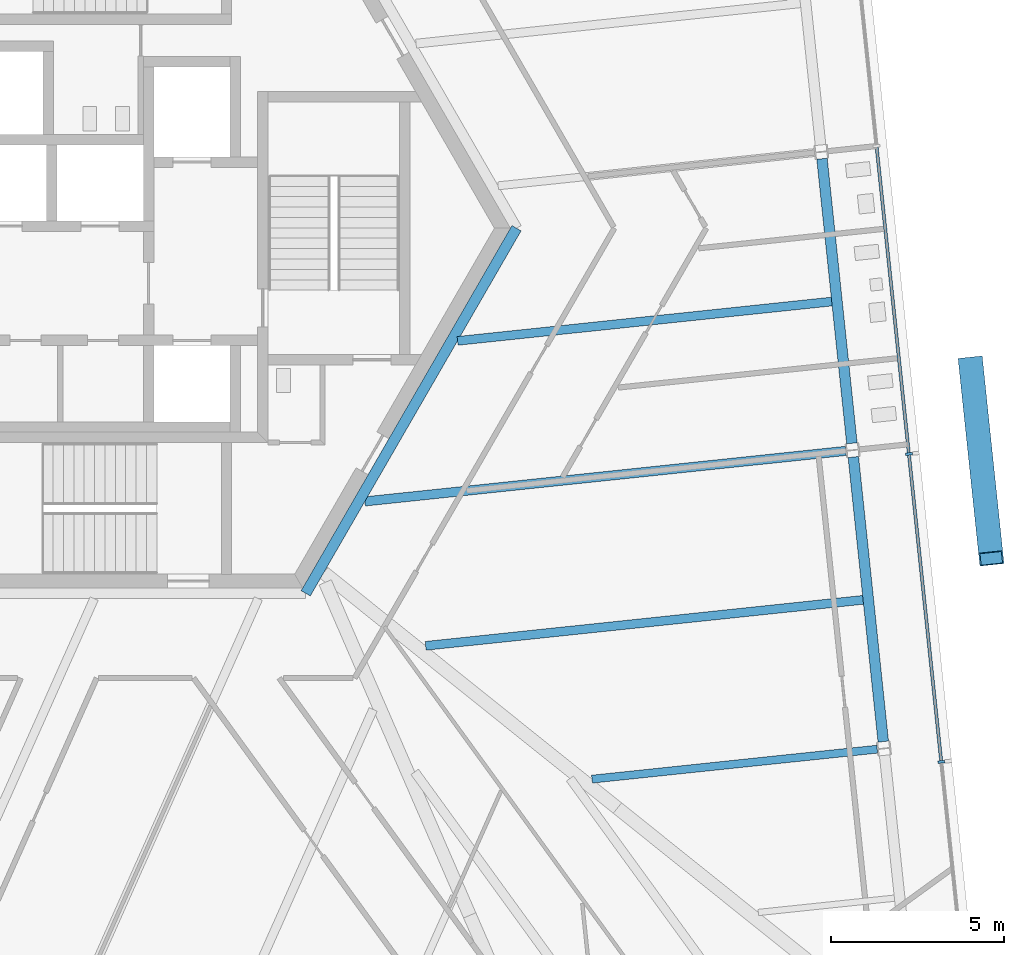
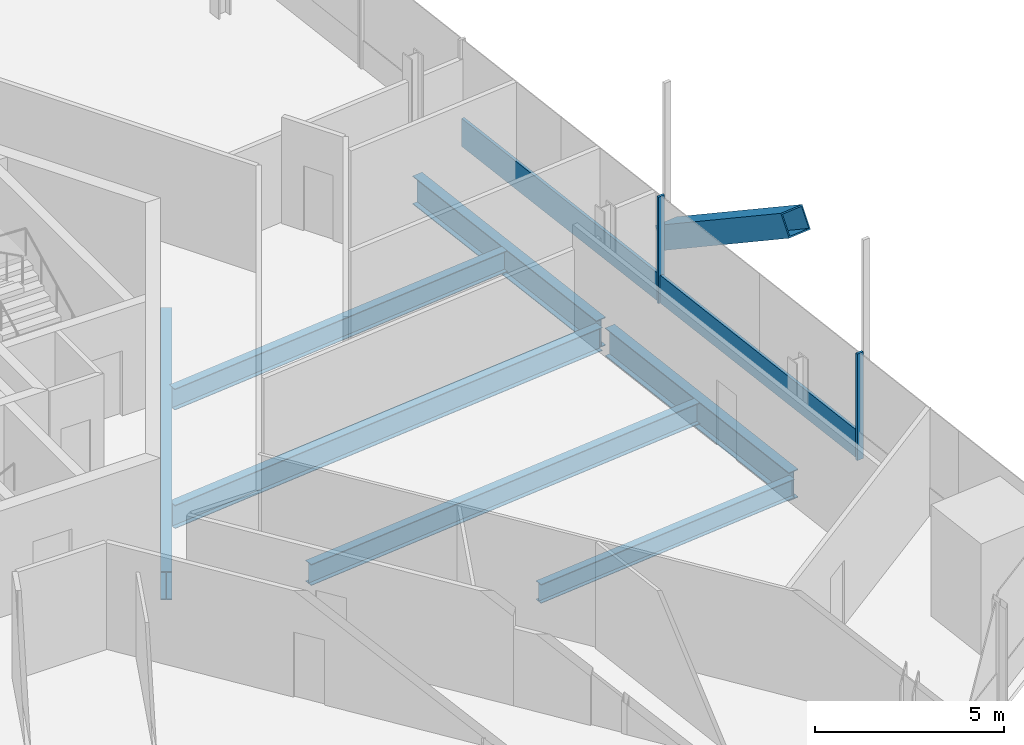
# One storey, part 5 of 21: 7 beams, 5 members, 1 element without a shape of its own.
"""IFC4 building model written with IfcOpenShell, lengths in metres."""

from ifc_helpers import new_model, si_unit, direction, frame, origin, origin_2d, place, context, subcontext, project, spatial, rectangle, hollow_rectangle, i_section, extrude, source, transform, mapped, material, material_profile, profile_set, type_object, element, aggregate, save


model = new_model("IFC4")

# Units and contexts
model_context = context("Model", 3, precision=1e-05, world=origin(), true_north=direction((0.0, 1.0)))
body_context = subcontext(model_context, "Body", "Model", "MODEL_VIEW")
ifc_project = project(units=[si_unit("LENGTHUNIT", "METRE"), si_unit("AREAUNIT", "SQUARE_METRE"), si_unit("VOLUMEUNIT", "CUBIC_METRE"), si_unit("PLANEANGLEUNIT", "RADIAN"), si_unit("MASSUNIT", "GRAM", prefix="KILO")], contexts=[model_context])

# Site, building, storey
site_placement = place(None, origin())
site = spatial("IfcSite", under=ifc_project, at=site_placement, CompositionType="ELEMENT")
building_placement = place(site_placement, origin())
building = spatial("IfcBuilding", under=site, at=building_placement, Name="Triune Harvest Tower", CompositionType="ELEMENT")
storey_placement = place(building_placement, frame((0.0, 0.0, 80.10009765625)))
storey = spatial("IfcBuildingStorey", under=building, at=storey_placement, Name="L19", CompositionType="ELEMENT", Elevation=80.10009765625)

# Beams
ifc_material_1 = material(Name="Steel ASTM A992 Gr 50", Category="steel")
ifc_material_profile_1 = material_profile(ifc_material_1, i_section(OverallWidth=0.3046875, OverallDepth=0.914306640625, WebThickness=0.0166015625, FlangeThickness=0.02587890625, at=origin_2d()), Name="W36x160")
ifc_profile_set_1 = profile_set([ifc_material_profile_1], Name="Steel ASTM A992 Gr 50")
beam_type_1 = type_object("IfcBeamType", Name="CG-1 Core ring girder W36x160", PredefinedType="BEAM", material=ifc_profile_set_1)
shared_shape_1 = source(origin(), body_context, "Body", "SweptSolid", [
    extrude(i_section(OverallWidth=0.3046875, OverallDepth=0.914306640625, WebThickness=0.0166015625, FlangeThickness=0.02587890625, at=origin_2d()), origin(), (0.0, 0.0, 1.0), 12.176025390625),
])
beam_1_placement = place(storey_placement, frame((6.087890625, -10.544677734375, -0.6171875), z_axis=(0.5000099932, 0.866019634131, 0.0), x_axis=(-0.866019634131, 0.5000099932, 0.0)))
element("IfcBeam", 1, at=beam_1_placement, inside=storey, type_object=beam_type_1, Name="beam/L19/CG6", PredefinedType="BEAM", context=body_context, shape_type="MappedRepresentation", body=[
    mapped(shared_shape_1, transform((0.0, 0.0, 0.0), scale=1.0)),
])
ifc_material_2 = material(Name="Steel ASTM A992 Gr 50", Category="steel")
ifc_material_profile_2 = material_profile(ifc_material_2, i_section(OverallWidth=0.3046875, OverallDepth=0.914306640625, WebThickness=0.0166015625, FlangeThickness=0.02587890625, at=origin_2d()), Name="W36x160")
ifc_profile_set_2 = profile_set([ifc_material_profile_2], Name="Steel ASTM A992 Gr 50")
beam_type_2 = type_object("IfcBeamType", Name="SB-1 Spandrel beam W36x160", PredefinedType="SPANDREL", material=ifc_profile_set_2)
shared_shape_2 = source(origin(), body_context, "Body", "SweptSolid", [
    extrude(i_section(OverallWidth=0.3046875, OverallDepth=0.914306640625, WebThickness=0.0166015625, FlangeThickness=0.02587890625, at=origin_2d()), origin(), (0.0, 0.0, 1.0), 8.26318359375),
])
beam_2_placement = place(storey_placement, frame((22.76708984375, -14.826416015625, -0.6171875), z_axis=(-0.104530986234, 0.994521630191, 0.0), x_axis=(-0.994521630191, -0.104530986234, 0.0)))
element("IfcBeam", 2, at=beam_2_placement, inside=storey, type_object=beam_type_2, Name="beam/L19/SB2", PredefinedType="SPANDREL", context=body_context, shape_type="MappedRepresentation", body=[
    mapped(shared_shape_2, transform((0.0, 0.0, 0.0), scale=1.0)),
])
shared_shape_3 = source(origin(), body_context, "Body", "SweptSolid", [
    extrude(i_section(OverallWidth=0.3046875, OverallDepth=0.914306640625, WebThickness=0.0166015625, FlangeThickness=0.02587890625, at=origin_2d()), origin(), (0.0, 0.0, 1.0), 8.263427734375),
])
beam_3_placement = place(storey_placement, frame((21.861572265625, -6.211669921875, -0.6171875), z_axis=(-0.104527914852, 0.994521953009, 0.0), x_axis=(-0.994521953009, -0.104527914852, 0.0)))
element("IfcBeam", 3, at=beam_3_placement, inside=storey, type_object=beam_type_2, Name="beam/L19/SB3", PredefinedType="SPANDREL", context=body_context, shape_type="MappedRepresentation", body=[
    mapped(shared_shape_3, transform((0.0, 0.0, 0.0), scale=1.0)),
])
ifc_material_3 = material(Name="Steel ASTM A992 Gr 50", Category="steel")
ifc_material_profile_3 = material_profile(ifc_material_3, i_section(OverallWidth=0.22900390625, OverallDepth=0.612060546875, WebThickness=0.011962890625, FlangeThickness=0.01953125, at=origin_2d()), Name="W24x84")
ifc_profile_set_3 = profile_set([ifc_material_profile_3], Name="Steel ASTM A992 Gr 50")
beam_type_3 = type_object("IfcBeamType", Name="JT-3 Floor joist W24x84", PredefinedType="JOIST", material=ifc_profile_set_3)
shared_shape_4 = source(origin(), body_context, "Body", "SweptSolid", [
    extrude(i_section(OverallWidth=0.22900390625, OverallDepth=0.612060546875, WebThickness=0.011962890625, FlangeThickness=0.01953125, at=origin_2d()), origin(), (0.0, 0.0, 1.0), 8.28173828125),
])
beam_4_placement = place(storey_placement, frame((22.592041015625, -15.04541015625, -0.46630859375), z_axis=(-0.994521271652, -0.104534397358, 0.0), x_axis=(0.104534397358, -0.994521271652, 0.0)))
element("IfcBeam", 4, at=beam_4_placement, inside=storey, type_object=beam_type_3, Name="beam/L19/JT2", PredefinedType="JOIST", context=body_context, shape_type="MappedRepresentation", body=[
    mapped(shared_shape_4, transform((0.0, 0.0, 0.0), scale=1.0)),
])
ifc_material_4 = material(Name="Steel ASTM A992 Gr 50", Category="steel")
ifc_material_profile_4 = material_profile(ifc_material_4, i_section(OverallWidth=0.253662109375, OverallDepth=0.683349609375, WebThickness=0.012451171875, FlangeThickness=0.01904296875, at=origin_2d()), Name="W27x94")
ifc_profile_set_4 = profile_set([ifc_material_profile_4], Name="Steel ASTM A992 Gr 50")
beam_type_4 = type_object("IfcBeamType", Name="JT-4 Floor joist W27x94", PredefinedType="JOIST", material=ifc_profile_set_4)
shared_shape_5 = source(origin(), body_context, "Body", "SweptSolid", [
    extrude(i_section(OverallWidth=0.253662109375, OverallDepth=0.683349609375, WebThickness=0.012451171875, FlangeThickness=0.01904296875, at=origin_2d()), origin(), (0.0, 0.0, 1.0), 12.70166015625),
])
beam_5_placement = place(storey_placement, frame((22.18359375, -10.7333984375, -0.501708984375), z_axis=(-0.994522291469, -0.104524694556, 0.0), x_axis=(0.104524694556, -0.994522291469, 0.0)))
element("IfcBeam", 5, at=beam_5_placement, inside=storey, type_object=beam_type_4, Name="beam/L19/JT3", PredefinedType="JOIST", context=body_context, shape_type="MappedRepresentation", body=[
    mapped(shared_shape_5, transform((0.0, 0.0, 0.0), scale=1.0)),
])
ifc_material_5 = material(Name="Steel ASTM A992 Gr 50", Category="steel")
ifc_material_profile_5 = material_profile(ifc_material_5, i_section(OverallWidth=0.2666015625, OverallDepth=0.7568359375, WebThickness=0.013916015625, FlangeThickness=0.019287109375, at=origin_2d()), Name="W30x108")
ifc_profile_set_5 = profile_set([ifc_material_profile_5], Name="Steel ASTM A992 Gr 50")
beam_type_5 = type_object("IfcBeamType", Name="JT-5 Floor joist W30x108", PredefinedType="JOIST", material=ifc_profile_set_5)
shared_shape_6 = source(origin(), body_context, "Body", "SweptSolid", [
    extrude(i_section(OverallWidth=0.2666015625, OverallDepth=0.7568359375, WebThickness=0.013916015625, FlangeThickness=0.019287109375, at=origin_2d()), origin(), (0.0, 0.0, 1.0), 13.966552734375),
])
beam_6_placement = place(storey_placement, frame((21.6865234375, -6.4306640625, -0.53857421875), z_axis=(-0.994523349671, -0.104514625579, 0.0), x_axis=(0.104514625579, -0.994523349671, 0.0)))
element("IfcBeam", 6, at=beam_6_placement, inside=storey, type_object=beam_type_5, Name="beam/L19/JT4", PredefinedType="JOIST", context=body_context, shape_type="MappedRepresentation", body=[
    mapped(shared_shape_6, transform((0.0, 0.0, 0.0), scale=1.0)),
])
shared_shape_7 = source(origin(), body_context, "Body", "SweptSolid", [
    extrude(i_section(OverallWidth=0.253662109375, OverallDepth=0.683349609375, WebThickness=0.012451171875, FlangeThickness=0.01904296875, at=origin_2d()), origin(), (0.0, 0.0, 1.0), 10.864501953125),
])
beam_7_placement = place(storey_placement, frame((21.278076171875, -2.11865234375, -0.501708984375), z_axis=(-0.994523292564, -0.104515168984, 0.0), x_axis=(0.104515168984, -0.994523292564, 0.0)))
element("IfcBeam", 7, at=beam_7_placement, inside=storey, type_object=beam_type_4, Name="beam/L19/JT5", PredefinedType="JOIST", context=body_context, shape_type="MappedRepresentation", body=[
    mapped(shared_shape_7, transform((0.0, 0.0, 0.0), scale=1.0)),
])

# Member
ifc_material_6 = material(Name="Steel ASTM A572 Gr 50", Category="steel")
ifc_material_profile_6 = material_profile(ifc_material_6, hollow_rectangle(XDim=0.699951171875, YDim=0.699951171875, WallThickness=0.0400390625, at=origin_2d()), Name="Box 700x700x40")
ifc_profile_set_6 = profile_set([ifc_material_profile_6], Name="Steel ASTM A572 Gr 50")
member_type_1 = type_object("IfcMemberType", Name="BR-1 Brace Box 700x700x40", PredefinedType="BRACE", material=ifc_profile_set_6)
shared_shape_8 = source(origin(), body_context, "Body", "SweptSolid", [
    extrude(hollow_rectangle(XDim=0.699951171875, YDim=0.699951171875, WallThickness=0.0400390625, at=origin_2d()), origin(), (0.0, 0.0, 1.0), 6.7021484375),
])
member_1_placement = place(storey_placement, frame((25.29541015625, -3.9130859375, 0.0), z_axis=(0.088190365828, -0.838883079159, 0.537119762135), x_axis=(0.994519405424, 0.10455215079, 0.0)))
element("IfcMember", 8, at=member_1_placement, inside=storey, type_object=member_type_1, Name="brace/B2-F1/d2/7", PredefinedType="BRACE", context=body_context, shape_type="MappedRepresentation", body=[
    mapped(shared_shape_8, transform((0.0, 0.0, 0.0), scale=1.0)),
])

# Curtain wall, members
ifc_material_7 = material(Name="Aluminium bronze anodised", Category="aluminium")
curtain_wall_type = type_object("IfcCurtainWallType", Name="CW-1 Tower stick curtain wall", PredefinedType="NOTDEFINED", material=ifc_material_7)
curtain_wall_placement = place(storey_placement, origin())
curtain_wall = element("IfcCurtainWall", 9, at=curtain_wall_placement, inside=storey, type_object=curtain_wall_type, Name="CW-1 B2-F1 L19 run 1")
ifc_material_8 = material(Name="Aluminium bronze anodised", Category="aluminium")
ifc_material_profile_7 = material_profile(ifc_material_8, rectangle(XDim=0.199951171875, YDim=0.074951171875, at=origin_2d()), Name="MU-1 mullion 75 x 200")
ifc_profile_set_7 = profile_set([ifc_material_profile_7], Name="Aluminium bronze anodised")
member_type_2 = type_object("IfcMemberType", Name="MU-1 mullion 75 x 200", PredefinedType="MULLION", material=ifc_profile_set_7)
shared_shape_9 = source(origin(), body_context, "Body", "SweptSolid", [
    extrude(rectangle(XDim=0.199951171875, YDim=0.074951171875, at=origin_2d()), origin(), (0.0, 0.0, 1.0), 3.43994140625),
])
member_2_placement = place(storey_placement, frame((24.442626953125, -15.411865234375, 0.0), z_axis=(0.0, 0.0, 1.0), x_axis=(-0.994521974487, -0.1045277105, 0.0)))
member_2 = element("IfcMember", 10, at=member_2_placement, type_object=member_type_2, Name="CW-1 mullion B2-F1 1.3", PredefinedType="MULLION", context=body_context, shape_type="MappedRepresentation", body=[
    mapped(shared_shape_9, transform((0.0, 0.0, 0.0), scale=1.0)),
])
member_3_placement = place(storey_placement, frame((23.508056640625, -6.519775390625, 0.0), z_axis=(0.0, 0.0, 1.0), x_axis=(-0.994521974487, -0.1045277105, 0.0)))
member_3 = element("IfcMember", 11, at=member_3_placement, type_object=member_type_2, Name="CW-1 mullion B2-F1 1.5", PredefinedType="MULLION", context=body_context, shape_type="MappedRepresentation", body=[
    mapped(shared_shape_9, transform((0.0, 0.0, 0.0), scale=1.0)),
])
ifc_material_9 = material(Name="Aluminium bronze anodised", Category="aluminium")
ifc_material_profile_8 = material_profile(ifc_material_9, rectangle(XDim=0.090087890625, YDim=0.89990234375, at=origin_2d()), Name="TR-1 transom 90 x 900")
ifc_profile_set_8 = profile_set([ifc_material_profile_8], Name="Aluminium bronze anodised")
member_type_3 = type_object("IfcMemberType", Name="TR-1 transom 90 x 900", PredefinedType="USERDEFINED", material=ifc_profile_set_8)
shared_shape_10 = source(origin(), body_context, "Body", "SweptSolid", [
    extrude(rectangle(XDim=0.090087890625, YDim=0.89990234375, at=origin_2d()), origin(), (0.0, 0.0, 1.0), 8.8662109375),
])
member_4_placement = place(storey_placement, frame((24.438720703125, -15.37451171875, 0.449951171875), z_axis=(-0.104527110626, 0.994522037536, 0.0), x_axis=(-0.994522037536, -0.104527110626, 0.0)))
member_4 = element("IfcMember", 12, at=member_4_placement, type_object=member_type_3, Name="CW-1 transom B2-F1 1.2", ObjectType="TRANSOM", PredefinedType="USERDEFINED", context=body_context, shape_type="MappedRepresentation", body=[
    mapped(shared_shape_10, transform((0.0, 0.0, 0.0), scale=1.0)),
])
member_5_placement = place(storey_placement, frame((23.504150390625, -6.482421875, 0.449951171875), z_axis=(-0.104527110626, 0.994522037536, 0.0), x_axis=(-0.994522037536, -0.104527110626, 0.0)))
member_5 = element("IfcMember", 13, at=member_5_placement, type_object=member_type_3, Name="CW-1 transom B2-F1 1.3", ObjectType="TRANSOM", PredefinedType="USERDEFINED", context=body_context, shape_type="MappedRepresentation", body=[
    mapped(shared_shape_10, transform((0.0, 0.0, 0.0), scale=1.0)),
])
aggregate(curtain_wall, [member_2, member_3, member_4, member_5])

save(model, "model.ifc")
